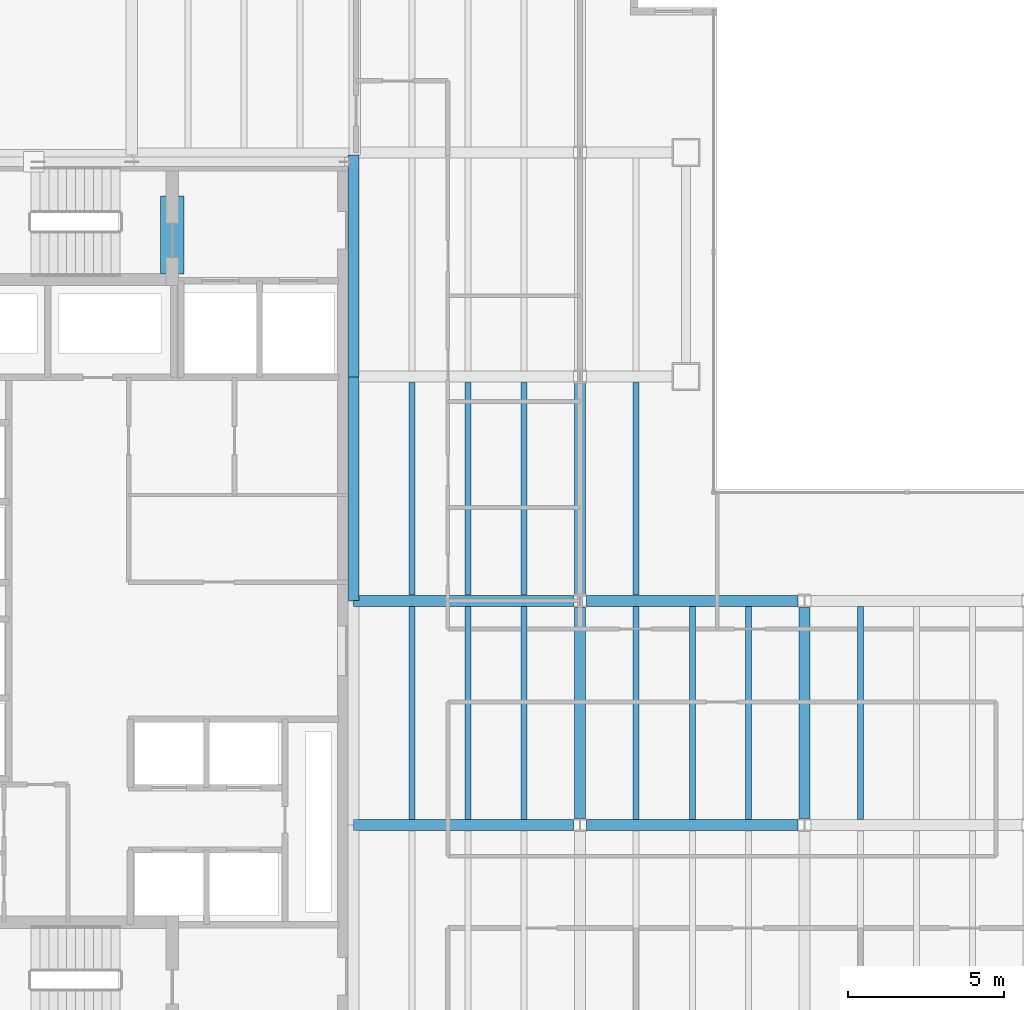
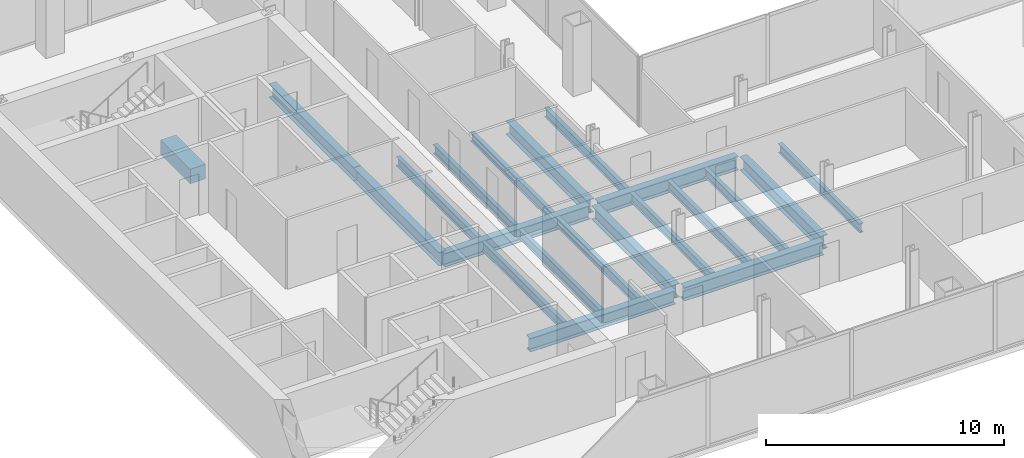
# One storey, part 6 of 23: 21 beams.
"""IFC4 building model written with IfcOpenShell, lengths in metres."""

from ifc_helpers import new_model, si_unit, direction, frame, origin, origin_2d, place, context, subcontext, project, spatial, rectangle, i_section, extrude, material, material_profile, profile_set, type_object, element, save


model = new_model("IFC4")

# Units and contexts
model_context = context("Model", 3, precision=1e-05, world=origin(), true_north=direction((0.0, 1.0)))
body_context = subcontext(model_context, "Body", "Model", "MODEL_VIEW")
ifc_project = project(units=[si_unit("LENGTHUNIT", "METRE"), si_unit("AREAUNIT", "SQUARE_METRE"), si_unit("VOLUMEUNIT", "CUBIC_METRE"), si_unit("PLANEANGLEUNIT", "RADIAN"), si_unit("MASSUNIT", "GRAM", prefix="KILO")], contexts=[model_context])

# Site, building, storey
site_placement = place(None, origin())
site = spatial("IfcSite", under=ifc_project, at=site_placement, CompositionType="ELEMENT")
building_placement = place(site_placement, origin())
building = spatial("IfcBuilding", under=site, at=building_placement, Name="Cobrela Telecom Tower", CompositionType="ELEMENT")
storey_placement = place(building_placement, frame((0.0, 0.0, 129.14990234375)))
storey = spatial("IfcBuildingStorey", under=building, at=storey_placement, Name="L32", CompositionType="ELEMENT", Elevation=129.14990234375)

# Beams
ifc_material_1 = material(Name="Concrete C40/50", Category="concrete")
ifc_material_profile_1 = material_profile(ifc_material_1, rectangle(XDim=0.75, YDim=0.75, at=origin_2d()), Name="RC 750x750")
ifc_profile_set_1 = profile_set([ifc_material_profile_1], Name="Concrete C40/50")
beam_type_1 = type_object("IfcBeamType", Name="BM-COUP-RC", PredefinedType="LINTEL", material=ifc_profile_set_1)
beam_1_placement = place(storey_placement, frame((8.5, 32.10009765625, -0.619873046875), z_axis=(0.0, 1.0, 0.0), x_axis=(-1.0, 0.0, 0.0)))
element("IfcBeam", 1, at=beam_1_placement, inside=storey, type_object=beam_type_1, Name="L32 Core Coupling Lintel Beam", PredefinedType="LINTEL", context=body_context, shape_type="SweptSolid", body=[
    extrude(rectangle(XDim=0.75, YDim=0.75, at=origin_2d()), origin(), (0.0, 0.0, 1.0), 2.5),
])
ifc_material_2 = material(Name="Steel ASTM A992 Grade 50", Category="steel")
ifc_material_profile_2 = material_profile(ifc_material_2, i_section(OverallWidth=0.35595703125, OverallDepth=0.696044921875, WebThickness=0.015380859375, FlangeThickness=0.024658203125, FilletRadius=0.01806640625, at=origin_2d()), Name="W27X146")
ifc_profile_set_2 = profile_set([ifc_material_profile_2], Name="Steel ASTM A992 Grade 50")
beam_type_2 = type_object("IfcBeamType", Name="BM-GIRD-05", PredefinedType="USERDEFINED", material=ifc_profile_set_2)
beam_2_placement = place(storey_placement, frame((14.324951171875, 14.39990234375, -0.617919921875), z_axis=(1.0, 0.0, 0.0), x_axis=(0.0, 1.0, 0.0)))
element("IfcBeam", 2, at=beam_2_placement, inside=storey, type_object=beam_type_2, Name="L32 Primary Girder X13", ObjectType="GIRDER", PredefinedType="USERDEFINED", context=body_context, shape_type="SweptSolid", body=[
    extrude(i_section(OverallWidth=0.35595703125, OverallDepth=0.696044921875, WebThickness=0.015380859375, FlangeThickness=0.024658203125, FilletRadius=0.01806640625, at=origin_2d()), origin(), (0.0, 0.0, 1.0), 7.0654296875),
])
beam_3_placement = place(storey_placement, frame((21.8095703125, 14.39990234375, -0.617919921875), z_axis=(1.0, 0.0, 0.0), x_axis=(0.0, 1.0, 0.0)))
element("IfcBeam", 3, at=beam_3_placement, inside=storey, type_object=beam_type_2, Name="L32 Primary Girder X14", ObjectType="GIRDER", PredefinedType="USERDEFINED", context=body_context, shape_type="SweptSolid", body=[
    extrude(i_section(OverallWidth=0.35595703125, OverallDepth=0.696044921875, WebThickness=0.015380859375, FlangeThickness=0.024658203125, FilletRadius=0.01806640625, at=origin_2d()), origin(), (0.0, 0.0, 1.0), 6.781005859375),
])
beam_4_placement = place(storey_placement, frame((14.324951171875, 21.60009765625, -0.617919921875), z_axis=(1.0, 0.0, 0.0), x_axis=(0.0, 1.0, 0.0)))
element("IfcBeam", 4, at=beam_4_placement, inside=storey, type_object=beam_type_2, Name="L32 Primary Girder X18", ObjectType="GIRDER", PredefinedType="USERDEFINED", context=body_context, shape_type="SweptSolid", body=[
    extrude(i_section(OverallWidth=0.35595703125, OverallDepth=0.696044921875, WebThickness=0.015380859375, FlangeThickness=0.024658203125, FilletRadius=0.01806640625, at=origin_2d()), origin(), (0.0, 0.0, 1.0), 7.0654296875),
])
beam_5_placement = place(storey_placement, frame((21.8095703125, 21.60009765625, -0.617919921875), z_axis=(1.0, 0.0, 0.0), x_axis=(0.0, 1.0, 0.0)))
element("IfcBeam", 5, at=beam_5_placement, inside=storey, type_object=beam_type_2, Name="L32 Primary Girder X19", ObjectType="GIRDER", PredefinedType="USERDEFINED", context=body_context, shape_type="SweptSolid", body=[
    extrude(i_section(OverallWidth=0.35595703125, OverallDepth=0.696044921875, WebThickness=0.015380859375, FlangeThickness=0.024658203125, FilletRadius=0.01806640625, at=origin_2d()), origin(), (0.0, 0.0, 1.0), 6.781005859375),
])
beam_6_placement = place(storey_placement, frame((14.320068359375, 21.60498046875, -0.617919921875), z_axis=(0.0, 1.0, 0.0), x_axis=(-1.0, 0.0, 0.0)))
element("IfcBeam", 6, at=beam_6_placement, inside=storey, type_object=beam_type_2, Name="L32 Primary Girder Y36", ObjectType="GIRDER", PredefinedType="USERDEFINED", context=body_context, shape_type="SweptSolid", body=[
    extrude(i_section(OverallWidth=0.35595703125, OverallDepth=0.696044921875, WebThickness=0.015380859375, FlangeThickness=0.024658203125, FilletRadius=0.01806640625, at=origin_2d()), origin(), (0.0, 0.0, 1.0), 7.18994140625),
])
beam_7_placement = place(storey_placement, frame((14.320068359375, 28.804931640625, -0.617919921875), z_axis=(0.0, 1.0, 0.0), x_axis=(-1.0, 0.0, 0.0)))
element("IfcBeam", 7, at=beam_7_placement, inside=storey, type_object=beam_type_2, Name="L32 Primary Girder Y37", ObjectType="GIRDER", PredefinedType="USERDEFINED", context=body_context, shape_type="SweptSolid", body=[
    extrude(i_section(OverallWidth=0.35595703125, OverallDepth=0.696044921875, WebThickness=0.015380859375, FlangeThickness=0.024658203125, FilletRadius=0.01806640625, at=origin_2d()), origin(), (0.0, 0.0, 1.0), 7.110107421875),
])
beam_8_placement = place(storey_placement, frame((21.60009765625, 14.609619140625, -0.617919921875), z_axis=(0.0, 1.0, 0.0), x_axis=(-1.0, 0.0, 0.0)))
element("IfcBeam", 8, at=beam_8_placement, inside=storey, type_object=beam_type_2, Name="L32 Primary Girder Y41", ObjectType="GIRDER", PredefinedType="USERDEFINED", context=body_context, shape_type="SweptSolid", body=[
    extrude(i_section(OverallWidth=0.35595703125, OverallDepth=0.696044921875, WebThickness=0.015380859375, FlangeThickness=0.024658203125, FilletRadius=0.01806640625, at=origin_2d()), origin(), (0.0, 0.0, 1.0), 6.78076171875),
])
beam_9_placement = place(storey_placement, frame((21.60009765625, 21.8095703125, -0.617919921875), z_axis=(0.0, 1.0, 0.0), x_axis=(-1.0, 0.0, 0.0)))
element("IfcBeam", 9, at=beam_9_placement, inside=storey, type_object=beam_type_2, Name="L32 Primary Girder Y42", ObjectType="GIRDER", PredefinedType="USERDEFINED", context=body_context, shape_type="SweptSolid", body=[
    extrude(i_section(OverallWidth=0.35595703125, OverallDepth=0.696044921875, WebThickness=0.015380859375, FlangeThickness=0.024658203125, FilletRadius=0.01806640625, at=origin_2d()), origin(), (0.0, 0.0, 1.0), 6.781005859375),
])
beam_10_placement = place(storey_placement, frame((28.800048828125, 14.609619140625, -0.617919921875), z_axis=(0.0, 1.0, 0.0), x_axis=(-1.0, 0.0, 0.0)))
element("IfcBeam", 10, at=beam_10_placement, inside=storey, type_object=beam_type_2, Name="L32 Primary Girder Y48", ObjectType="GIRDER", PredefinedType="USERDEFINED", context=body_context, shape_type="SweptSolid", body=[
    extrude(i_section(OverallWidth=0.35595703125, OverallDepth=0.696044921875, WebThickness=0.015380859375, FlangeThickness=0.024658203125, FilletRadius=0.01806640625, at=origin_2d()), origin(), (0.0, 0.0, 1.0), 6.78076171875),
])
ifc_material_profile_3 = material_profile(ifc_material_2, i_section(OverallWidth=0.193115234375, OverallDepth=0.467041015625, WebThickness=0.011474609375, FlangeThickness=0.01904296875, FilletRadius=0.012939453125, at=origin_2d()), Name="W18X65")
ifc_profile_set_3 = profile_set([ifc_material_profile_3], Name="Steel ASTM A992 Grade 50")
beam_type_3 = type_object("IfcBeamType", Name="BM-JOIST-03", PredefinedType="JOIST", material=ifc_profile_set_3)
for number, where, z_axis, x_axis, name in (
    (11, (16.199951171875, 14.5830078125, -0.50341796875), (0.0, 1.0, 0.0), (-1.0, 0.0, 0.0), "L32 Secondary Composite Floor Beam J05"),
    (12, (16.199951171875, 21.782958984375, -0.50341796875), (0.0, 1.0, 0.0), (-1.0, 0.0, 0.0), "L32 Secondary Composite Floor Beam J06"),
    (13, (18.0, 14.5830078125, -0.50341796875), (0.0, 1.0, 0.0), (-1.0, 0.0, 0.0), "L32 Secondary Composite Floor Beam J10"),
    (14, (18.0, 21.782958984375, -0.50341796875), (0.0, 1.0, 0.0), (-1.0, 0.0, 0.0), "L32 Secondary Composite Floor Beam J11"),
    (15, (19.800048828125, 14.5830078125, -0.50341796875), (0.0, 1.0, 0.0), (-1.0, 0.0, 0.0), "L32 Secondary Composite Floor Beam J15"),
    (16, (19.800048828125, 21.782958984375, -0.50341796875), (0.0, 1.0, 0.0), (-1.0, 0.0, 0.0), "L32 Secondary Composite Floor Beam J16"),
    (17, (23.39990234375, 14.5830078125, -0.50341796875), (0.0, 1.0, 0.0), (-1.0, 0.0, 0.0), "L32 Secondary Composite Floor Beam J20"),
    (18, (23.39990234375, 21.782958984375, -0.50341796875), (0.0, 1.0, 0.0), (-1.0, 0.0, 0.0), "L32 Secondary Composite Floor Beam J21"),
    (19, (25.199951171875, 14.5830078125, -0.50341796875), (0.0, 1.0, 0.0), (-1.0, 0.0, 0.0), "L32 Secondary Composite Floor Beam J24"),
    (20, (27.0, 14.5830078125, -0.50341796875), (0.0, 1.0, 0.0), (-1.0, 0.0, 0.0), "L32 Secondary Composite Floor Beam J26"),
    (21, (30.60009765625, 14.5830078125, -0.50341796875), (0.0, 1.0, 0.0), (-1.0, 0.0, 0.0), "L32 Secondary Composite Floor Beam J28"),
):
    element("IfcBeam", number, at=place(storey_placement, frame(where, z_axis=z_axis, x_axis=x_axis)), inside=storey, type_object=beam_type_3, Name=name, PredefinedType="JOIST", context=body_context, shape_type="SweptSolid", body=[
        extrude(i_section(OverallWidth=0.193115234375, OverallDepth=0.467041015625, WebThickness=0.011474609375, FlangeThickness=0.01904296875, FilletRadius=0.012939453125, at=origin_2d()), origin(), (0.0, 0.0, 1.0), 6.833984375),
    ])

save(model, "model.ifc")
